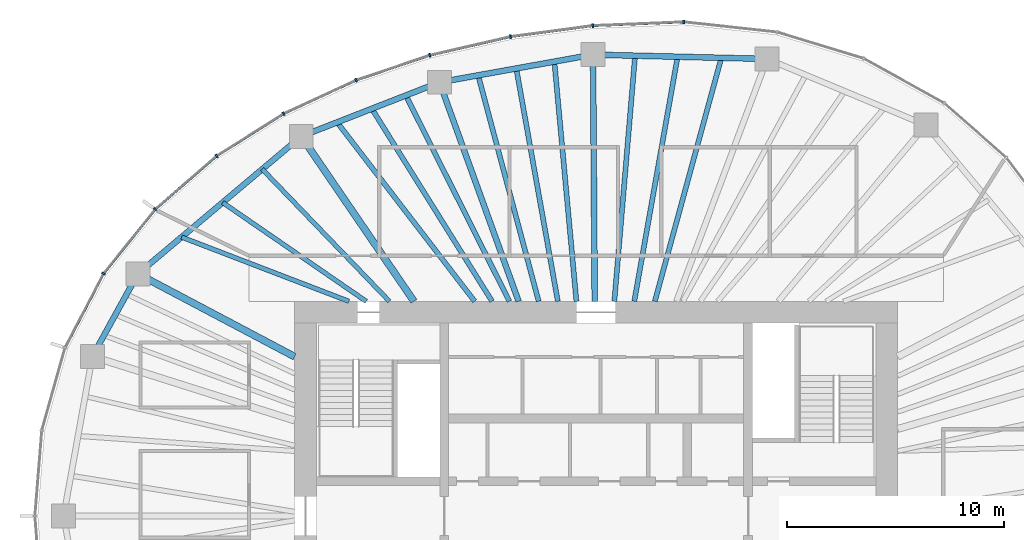
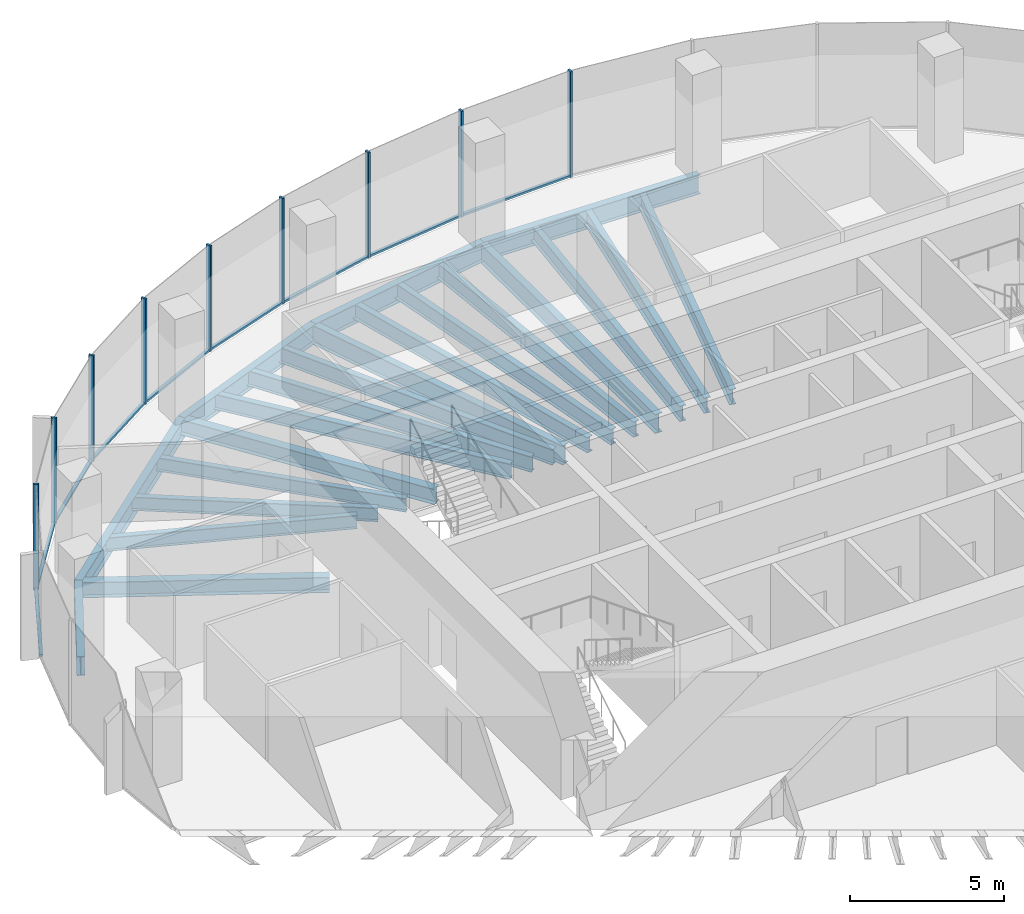
# One storey, part 5 of 11: 21 beams, 18 members, 5 elements without a shape of their own.
"""IFC4 building model written with IfcOpenShell, lengths in metres."""

from ifc_helpers import new_model, si_unit, direction, frame, origin, origin_2d, place, context, subcontext, project, spatial, rectangle, i_section, extrude, material, material_profile, profile_set, type_object, element, aggregate, save


model = new_model("IFC4")

# Units and contexts
model_context = context("Model", 3, precision=1e-05, world=origin(), true_north=direction((0.0, 1.0)))
body_context = subcontext(model_context, "Body", "Model", "MODEL_VIEW")
ifc_project = project(units=[si_unit("LENGTHUNIT", "METRE"), si_unit("AREAUNIT", "SQUARE_METRE"), si_unit("VOLUMEUNIT", "CUBIC_METRE"), si_unit("PLANEANGLEUNIT", "RADIAN"), si_unit("MASSUNIT", "GRAM", prefix="KILO")], contexts=[model_context])

# Site, building, storey
site_placement = place(None, origin())
site = spatial("IfcSite", under=ifc_project, at=site_placement, CompositionType="ELEMENT")
building_placement = place(site_placement, origin())
building = spatial("IfcBuilding", under=site, at=building_placement, Name="Ghaith Harvest Tower", CompositionType="ELEMENT")
storey_placement = place(building_placement, frame((0.0, 0.0, 279.60009765625)))
storey = spatial("IfcBuildingStorey", under=building, at=storey_placement, Name="L62", CompositionType="ELEMENT", Elevation=279.60009765625)

# Curtain wall, member
ifc_material_1 = material(Name="Black anodised aluminium and fritted glass", Category="aluminium")
curtain_wall_type = type_object("IfcCurtainWallType", Name="CW-T CURTAIN WALL", PredefinedType="NOTDEFINED", material=ifc_material_1)
curtain_wall_1_placement = place(storey_placement, origin())
curtain_wall_1 = element("IfcCurtainWall", 1, at=curtain_wall_1_placement, inside=storey, type_object=curtain_wall_type, Name="Curtain wall CW-T bay 05 L62", PredefinedType="NOTDEFINED")
ifc_material_2 = material(Name="Aluminium, black anodised", Category="aluminium")
ifc_material_profile_1 = material_profile(ifc_material_2, rectangle(XDim=0.080078125, YDim=0.179931640625, at=origin_2d()), Name="CW-T MULLION 80x180")
ifc_profile_set_1 = profile_set([ifc_material_profile_1], Name="Aluminium, black anodised")
member_type_1 = type_object("IfcMemberType", Name="CW-T MULLION 80x180", PredefinedType="MULLION", material=ifc_profile_set_1)
member_1_placement = place(storey_placement, frame((4.037841796875, 22.776611328125, 0.0), z_axis=(0.0, 0.0, 1.0), x_axis=(-0.999388631236, 0.034962319079, 0.0)))
member_1 = element("IfcMember", 2, at=member_1_placement, type_object=member_type_1, Name="CW-T mullion 2 bay 05 L62", PredefinedType="MULLION", context=body_context, shape_type="SweptSolid", body=[
    extrude(rectangle(XDim=0.080078125, YDim=0.179931640625, at=origin_2d()), origin(), (0.0, 0.0, 1.0), 4.199951171875),
])

# Curtain wall, members
curtain_wall_2_placement = place(storey_placement, origin())
curtain_wall_2 = element("IfcCurtainWall", 3, at=curtain_wall_2_placement, inside=storey, type_object=curtain_wall_type, Name="Curtain wall CW-T bay 06 L62", PredefinedType="NOTDEFINED")
member_2_placement = place(storey_placement, frame((-0.15478515625, 22.60595703125, 0.0), z_axis=(0.0, 0.0, 1.0), x_axis=(-0.996414855482, -0.084601629853, 0.0)))
member_2 = element("IfcMember", 4, at=member_2_placement, type_object=member_type_1, Name="CW-T mullion 1 bay 06 L62", PredefinedType="MULLION", context=body_context, shape_type="SweptSolid", body=[
    extrude(rectangle(XDim=0.080078125, YDim=0.179931640625, at=origin_2d()), origin(), (0.0, 0.0, 1.0), 4.199951171875),
])
member_3_placement = place(storey_placement, frame((-3.946533203125, 22.0986328125, 0.0), z_axis=(0.0, 0.0, 1.0), x_axis=(-0.983843447681, -0.179030920389, 0.0)))
member_3 = element("IfcMember", 5, at=member_3_placement, type_object=member_type_1, Name="CW-T mullion 2 bay 06 L62", PredefinedType="MULLION", context=body_context, shape_type="SweptSolid", body=[
    extrude(rectangle(XDim=0.080078125, YDim=0.179931640625, at=origin_2d()), origin(), (0.0, 0.0, 1.0), 4.199951171875),
])

curtain_wall_3_placement = place(storey_placement, origin())
curtain_wall_3 = element("IfcCurtainWall", 6, at=curtain_wall_3_placement, inside=storey, type_object=curtain_wall_type, Name="Curtain wall CW-T bay 07 L62", PredefinedType="NOTDEFINED")
member_4_placement = place(storey_placement, frame((-7.6708984375, 21.23828125, 0.0), z_axis=(0.0, 0.0, 1.0), x_axis=(-0.962552491436, -0.27109537294, 0.0)))
member_4 = element("IfcMember", 7, at=member_4_placement, type_object=member_type_1, Name="CW-T mullion 1 bay 07 L62", PredefinedType="MULLION", context=body_context, shape_type="SweptSolid", body=[
    extrude(rectangle(XDim=0.080078125, YDim=0.179931640625, at=origin_2d()), origin(), (0.0, 0.0, 1.0), 4.199951171875),
])
member_5_placement = place(storey_placement, frame((-11.0673828125, 20.093017578125, 0.0), z_axis=(0.0, 0.0, 1.0), x_axis=(-0.928624420706, -0.371021138573, 0.0)))
member_5 = element("IfcMember", 8, at=member_5_placement, type_object=member_type_1, Name="CW-T mullion 2 bay 07 L62", PredefinedType="MULLION", context=body_context, shape_type="SweptSolid", body=[
    extrude(rectangle(XDim=0.080078125, YDim=0.179931640625, at=origin_2d()), origin(), (0.0, 0.0, 1.0), 4.199951171875),
])

curtain_wall_4_placement = place(storey_placement, origin())
curtain_wall_4 = element("IfcCurtainWall", 9, at=curtain_wall_4_placement, inside=storey, type_object=curtain_wall_type, Name="Curtain wall CW-T bay 08 L62", PredefinedType="NOTDEFINED")
member_6_placement = place(storey_placement, frame((-14.40478515625, 18.5478515625, 0.0), z_axis=(0.0, 0.0, 1.0), x_axis=(-0.87867173244, -0.477426420101, 0.0)))
member_6 = element("IfcMember", 10, at=member_6_placement, type_object=member_type_1, Name="CW-T mullion 1 bay 08 L62", PredefinedType="MULLION", context=body_context, shape_type="SweptSolid", body=[
    extrude(rectangle(XDim=0.080078125, YDim=0.179931640625, at=origin_2d()), origin(), (0.0, 0.0, 1.0), 4.199951171875),
])
member_7_placement = place(storey_placement, frame((-17.49462890625, 16.600830078125, 0.0), z_axis=(0.0, 0.0, 1.0), x_axis=(-0.802189888678, -0.597068993084, 0.0)))
member_7 = element("IfcMember", 11, at=member_7_placement, type_object=member_type_1, Name="CW-T mullion 2 bay 08 L62", PredefinedType="MULLION", context=body_context, shape_type="SweptSolid", body=[
    extrude(rectangle(XDim=0.080078125, YDim=0.179931640625, at=origin_2d()), origin(), (0.0, 0.0, 1.0), 4.199951171875),
])

curtain_wall_5_placement = place(storey_placement, origin())
curtain_wall_5 = element("IfcCurtainWall", 12, at=curtain_wall_5_placement, inside=storey, type_object=curtain_wall_type, Name="Curtain wall CW-T bay 09 L62", PredefinedType="NOTDEFINED")
member_8_placement = place(storey_placement, frame((-20.324462890625, 14.141845703125, 0.0), z_axis=(0.0, 0.0, 1.0), x_axis=(-0.692826491995, -0.72110432809, 0.0)))
member_8 = element("IfcMember", 13, at=member_8_placement, type_object=member_type_1, Name="CW-T mullion 1 bay 09 L62", PredefinedType="MULLION", context=body_context, shape_type="SweptSolid", body=[
    extrude(rectangle(XDim=0.080078125, YDim=0.179931640625, at=origin_2d()), origin(), (0.0, 0.0, 1.0), 4.199951171875),
])
member_9_placement = place(storey_placement, frame((-22.706298828125, 11.176513671875, 0.0), z_axis=(0.0, 0.0, 1.0), x_axis=(-0.545865412621, -0.837872872997, 0.0)))
member_9 = element("IfcMember", 14, at=member_9_placement, type_object=member_type_1, Name="CW-T mullion 2 bay 09 L62", PredefinedType="MULLION", context=body_context, shape_type="SweptSolid", body=[
    extrude(rectangle(XDim=0.080078125, YDim=0.179931640625, at=origin_2d()), origin(), (0.0, 0.0, 1.0), 4.199951171875),
])

# Member
ifc_material_3 = material(Name="Aluminium, black anodised", Category="aluminium")
ifc_material_profile_2 = material_profile(ifc_material_3, rectangle(XDim=0.1201171875, YDim=0.080078125, at=origin_2d()), Name="CW-T TRANSOM 120x80")
ifc_profile_set_2 = profile_set([ifc_material_profile_2], Name="Aluminium, black anodised")
member_type_2 = type_object("IfcMemberType", Name="CW-T TRANSOM 120x80", PredefinedType="USERDEFINED", material=ifc_profile_set_2)
member_10_placement = place(storey_placement, frame((3.997802734375, 22.77490234375, 0.039794921875), z_axis=(-0.999174207562, -0.040631304968, 0.0), x_axis=(0.040631304968, -0.999174207562, 0.0)))
member_10 = element("IfcMember", 15, at=member_10_placement, type_object=member_type_2, Name="CW-T transom 2 bay 05 L62", ObjectType="TRANSOM", PredefinedType="USERDEFINED", context=body_context, shape_type="SweptSolid", body=[
    extrude(rectangle(XDim=0.1201171875, YDim=0.080078125, at=origin_2d()), origin(), (0.0, 0.0, 1.0), 4.115966796875),
])

aggregate(curtain_wall_1, [member_1, member_10])

member_11_placement = place(storey_placement, frame((-0.1943359375, 22.6005859375, 0.039794921875), z_axis=(-0.99117202259, -0.132582131655, 0.0), x_axis=(0.132582131655, -0.99117202259, 0.0)))
member_11 = element("IfcMember", 16, at=member_11_placement, type_object=member_type_2, Name="CW-T transom 1 bay 06 L62", ObjectType="TRANSOM", PredefinedType="USERDEFINED", context=body_context, shape_type="SweptSolid", body=[
    extrude(rectangle(XDim=0.1201171875, YDim=0.080078125, at=origin_2d()), origin(), (0.0, 0.0, 1.0), 3.745361328125),
])

member_12_placement = place(storey_placement, frame((-3.9853515625, 22.089599609375, 0.039794921875), z_axis=(-0.974344997799, -0.225059603803, 0.0), x_axis=(0.225059603803, -0.974344997799, 0.0)))
member_12 = element("IfcMember", 17, at=member_12_placement, type_object=member_type_2, Name="CW-T transom 2 bay 06 L62", ObjectType="TRANSOM", PredefinedType="USERDEFINED", context=body_context, shape_type="SweptSolid", body=[
    extrude(rectangle(XDim=0.1201171875, YDim=0.080078125, at=origin_2d()), origin(), (0.0, 0.0, 1.0), 3.742431640625),
])

aggregate(curtain_wall_2, [member_2, member_11, member_3, member_12])

member_13_placement = place(storey_placement, frame((-7.708740234375, 21.2255859375, 0.039794921875), z_axis=(-0.9475698206, -0.319548799228, 0.0), x_axis=(0.319548799228, -0.9475698206, 0.0)))
member_13 = element("IfcMember", 18, at=member_13_placement, type_object=member_type_2, Name="CW-T transom 1 bay 07 L62", ObjectType="TRANSOM", PredefinedType="USERDEFINED", context=body_context, shape_type="SweptSolid", body=[
    extrude(rectangle(XDim=0.1201171875, YDim=0.080078125, at=origin_2d()), origin(), (0.0, 0.0, 1.0), 3.504638671875),
])

member_14_placement = place(storey_placement, frame((-11.103759765625, 20.076171875, 0.039794921875), z_axis=(-0.907472177056, -0.420112184862, 0.0), x_axis=(0.420112184862, -0.907472177056, 0.0)))
member_14 = element("IfcMember", 19, at=member_14_placement, type_object=member_type_2, Name="CW-T transom 2 bay 07 L62", ObjectType="TRANSOM", PredefinedType="USERDEFINED", context=body_context, shape_type="SweptSolid", body=[
    extrude(rectangle(XDim=0.1201171875, YDim=0.080078125, at=origin_2d()), origin(), (0.0, 0.0, 1.0), 3.597900390625),
])

aggregate(curtain_wall_3, [member_4, member_13, member_5, member_14])

member_15_placement = place(storey_placement, frame((-14.438720703125, 18.5263671875, 0.039794921875), z_axis=(-0.846053602505, -0.533097835006, 0.0), x_axis=(0.533097835006, -0.846053602505, 0.0)))
member_15 = element("IfcMember", 20, at=member_15_placement, type_object=member_type_2, Name="CW-T transom 1 bay 08 L62", ObjectType="TRANSOM", PredefinedType="USERDEFINED", context=body_context, shape_type="SweptSolid", body=[
    extrude(rectangle(XDim=0.1201171875, YDim=0.080078125, at=origin_2d()), origin(), (0.0, 0.0, 1.0), 3.572021484375),
])

member_16_placement = place(storey_placement, frame((-17.52490234375, 16.574462890625, 0.039794921875), z_axis=(-0.754851889287, -0.65589528527, 0.0), x_axis=(0.65589528527, -0.754851889287, 0.0)))
member_16 = element("IfcMember", 21, at=member_16_placement, type_object=member_type_2, Name="CW-T transom 2 bay 08 L62", ObjectType="TRANSOM", PredefinedType="USERDEFINED", context=body_context, shape_type="SweptSolid", body=[
    extrude(rectangle(XDim=0.1201171875, YDim=0.080078125, at=origin_2d()), origin(), (0.0, 0.0, 1.0), 3.668701171875),
])

aggregate(curtain_wall_4, [member_6, member_15, member_7, member_16])

member_17_placement = place(storey_placement, frame((-20.349365234375, 14.110595703125, 0.039794921875), z_axis=(-0.626253073761, -0.779619835307, 0.0), x_axis=(0.779619835307, -0.626253073761, 0.0)))
member_17 = element("IfcMember", 22, at=member_17_placement, type_object=member_type_2, Name="CW-T transom 1 bay 09 L62", ObjectType="TRANSOM", PredefinedType="USERDEFINED", context=body_context, shape_type="SweptSolid", body=[
    extrude(rectangle(XDim=0.1201171875, YDim=0.080078125, at=origin_2d()), origin(), (0.0, 0.0, 1.0), 3.723388671875),
])

member_18_placement = place(storey_placement, frame((-22.724609375, 11.14111328125, 0.039794921875), z_axis=(-0.461242681347, -0.887274021317, 0.0), x_axis=(0.887274021317, -0.461242681347, 0.0)))
member_18 = element("IfcMember", 23, at=member_18_placement, type_object=member_type_2, Name="CW-T transom 2 bay 09 L62", ObjectType="TRANSOM", PredefinedType="USERDEFINED", context=body_context, shape_type="SweptSolid", body=[
    extrude(rectangle(XDim=0.1201171875, YDim=0.080078125, at=origin_2d()), origin(), (0.0, 0.0, 1.0), 3.77197265625),
])

aggregate(curtain_wall_5, [member_8, member_17, member_9, member_18])

# Beams
ifc_material_4 = material(Name="Steel ASTM A992 Grade 50", Category="steel")
ifc_material_profile_3 = material_profile(ifc_material_4, i_section(OverallWidth=0.26611328125, OverallDepth=0.758056640625, WebThickness=0.013916015625, FlangeThickness=0.019287109375, at=origin_2d()), Name="W760X161")
ifc_profile_set_3 = profile_set([ifc_material_profile_3], Name="Steel ASTM A992 Grade 50")
beam_type_1 = type_object("IfcBeamType", Name="E760-161 W760X161", PredefinedType="SPANDREL", material=ifc_profile_set_3)
beam_1_placement = place(storey_placement, frame((7.8779296875, 21.072021484375, -0.549072265625), z_axis=(-0.999692679676, 0.024790042413, 0.0), x_axis=(-0.024790042413, -0.999692679676, 0.0)))
element("IfcBeam", 24, at=beam_1_placement, inside=storey, type_object=beam_type_1, Name="Edge beam E05 L62", PredefinedType="SPANDREL", context=body_context, shape_type="SweptSolid", body=[
    extrude(i_section(OverallWidth=0.26611328125, OverallDepth=0.758056640625, WebThickness=0.013916015625, FlangeThickness=0.019287109375, at=origin_2d()), origin(), (0.0, 0.0, 1.0), 8.0263671875),
])
beam_2_placement = place(storey_placement, frame((-0.14599609375, 21.27099609375, -0.549072265625), z_axis=(-0.984177047684, -0.177187863051, 0.0), x_axis=(0.177187863051, -0.984177047684, 0.0)))
element("IfcBeam", 25, at=beam_2_placement, inside=storey, type_object=beam_type_1, Name="Edge beam E06 L62", PredefinedType="SPANDREL", context=body_context, shape_type="SweptSolid", body=[
    extrude(i_section(OverallWidth=0.26611328125, OverallDepth=0.758056640625, WebThickness=0.013916015625, FlangeThickness=0.019287109375, at=origin_2d()), origin(), (0.0, 0.0, 1.0), 7.189697265625),
])
beam_3_placement = place(storey_placement, frame((-7.221923828125, 19.9970703125, -0.549072265625), z_axis=(-0.931322768207, -0.364194867371, 0.0), x_axis=(0.364194867371, -0.931322768207, 0.0)))
element("IfcBeam", 26, at=beam_3_placement, inside=storey, type_object=beam_type_1, Name="Edge beam E07 L62", PredefinedType="SPANDREL", context=body_context, shape_type="SweptSolid", body=[
    extrude(i_section(OverallWidth=0.26611328125, OverallDepth=0.758056640625, WebThickness=0.013916015625, FlangeThickness=0.019287109375, at=origin_2d()), origin(), (0.0, 0.0, 1.0), 6.843017578125),
])
beam_4_placement = place(storey_placement, frame((-13.594970703125, 17.5048828125, -0.549072265625), z_axis=(-0.765021818761, -0.64400436087, 0.0), x_axis=(0.64400436087, -0.765021818761, 0.0)))
element("IfcBeam", 27, at=beam_4_placement, inside=storey, type_object=beam_type_1, Name="Edge beam E08 L62", PredefinedType="SPANDREL", context=body_context, shape_type="SweptSolid", body=[
    extrude(i_section(OverallWidth=0.26611328125, OverallDepth=0.758056640625, WebThickness=0.013916015625, FlangeThickness=0.019287109375, at=origin_2d()), origin(), (0.0, 0.0, 1.0), 9.8427734375),
])
beam_5_placement = place(storey_placement, frame((-21.125, 11.166015625, -0.549072265625), z_axis=(-0.482955575345, -0.875644855089, 0.0), x_axis=(0.875644855089, -0.482955575345, 0.0)))
element("IfcBeam", 28, at=beam_5_placement, inside=storey, type_object=beam_type_1, Name="Edge beam E09 L62", PredefinedType="SPANDREL", context=body_context, shape_type="SweptSolid", body=[
    extrude(i_section(OverallWidth=0.26611328125, OverallDepth=0.758056640625, WebThickness=0.013916015625, FlangeThickness=0.019287109375, at=origin_2d()), origin(), (0.0, 0.0, 1.0), 4.346435546875),
])
ifc_material_5 = material(Name="Steel ASTM A992 Grade 50", Category="steel")
ifc_material_profile_4 = material_profile(ifc_material_5, i_section(OverallWidth=0.323974609375, OverallDepth=0.611083984375, WebThickness=0.0126953125, FlangeThickness=0.01904296875, at=origin_2d()), Name="W610X155")
ifc_profile_set_4 = profile_set([ifc_material_profile_4], Name="Steel ASTM A992 Grade 50")
beam_type_2 = type_object("IfcBeamType", Name="G610-155 W610X155", PredefinedType="BEAM", material=ifc_profile_set_4)
beam_6_placement = place(storey_placement, frame((-8.39990234375, 9.89990234375, -0.4755859375), z_axis=(-0.564067018201, 0.825729010619, 0.0), x_axis=(-0.825729010619, -0.564067018201, 0.0)))
element("IfcBeam", 29, at=beam_6_placement, inside=storey, type_object=beam_type_2, Name="Radial girder G08 L62", PredefinedType="BEAM", context=body_context, shape_type="SweptSolid", body=[
    extrude(i_section(OverallWidth=0.323974609375, OverallDepth=0.611083984375, WebThickness=0.0126953125, FlangeThickness=0.01904296875, at=origin_2d()), origin(), (0.0, 0.0, 1.0), 9.2099609375),
])
beam_7_placement = place(storey_placement, frame((-13.89990234375, 7.34716796875, -0.4755859375), z_axis=(-0.88410164037, 0.467294649546, 0.0), x_axis=(-0.467294649546, -0.88410164037, 0.0)))
element("IfcBeam", 30, at=beam_7_placement, inside=storey, type_object=beam_type_2, Name="Radial girder G09 L62", PredefinedType="BEAM", context=body_context, shape_type="SweptSolid", body=[
    extrude(i_section(OverallWidth=0.323974609375, OverallDepth=0.611083984375, WebThickness=0.0126953125, FlangeThickness=0.01904296875, at=origin_2d()), origin(), (0.0, 0.0, 1.0), 8.17236328125),
])
ifc_material_6 = material(Name="Steel ASTM A992 Grade 50", Category="steel")
ifc_material_profile_5 = material_profile(ifc_material_6, i_section(OverallWidth=0.26611328125, OverallDepth=0.758056640625, WebThickness=0.013916015625, FlangeThickness=0.019287109375, at=origin_2d()), Name="W760X161")
ifc_profile_set_5 = profile_set([ifc_material_profile_5], Name="Steel ASTM A992 Grade 50")
beam_type_3 = type_object("IfcBeamType", Name="G760-161 W760X161", PredefinedType="BEAM", material=ifc_profile_set_5)
beam_8_placement = place(storey_placement, frame((-0.06787109375, 9.89990234375, -0.549072265625), z_axis=(-0.00687032909, 0.999976399011, 0.0), x_axis=(-0.999976399011, -0.00687032909, 0.0)))
element("IfcBeam", 31, at=beam_8_placement, inside=storey, type_object=beam_type_3, Name="Radial girder G06 L62", PredefinedType="BEAM", context=body_context, shape_type="SweptSolid", body=[
    extrude(i_section(OverallWidth=0.26611328125, OverallDepth=0.758056640625, WebThickness=0.013916015625, FlangeThickness=0.019287109375, at=origin_2d()), origin(), (0.0, 0.0, 1.0), 11.371337890625),
])
beam_9_placement = place(storey_placement, frame((-3.57568359375, 9.89990234375, -0.549072265625), z_axis=(-0.339647816823, 0.940552688863, 0.0), x_axis=(-0.940552688863, -0.339647816823, 0.0)))
element("IfcBeam", 32, at=beam_9_placement, inside=storey, type_object=beam_type_3, Name="Radial girder G07 L62", PredefinedType="BEAM", context=body_context, shape_type="SweptSolid", body=[
    extrude(i_section(OverallWidth=0.26611328125, OverallDepth=0.758056640625, WebThickness=0.013916015625, FlangeThickness=0.019287109375, at=origin_2d()), origin(), (0.0, 0.0, 1.0), 10.7353515625),
])
ifc_material_7 = material(Name="Steel ASTM A992 Grade 50", Category="steel")
ifc_material_profile_6 = material_profile(ifc_material_7, i_section(OverallWidth=0.2109375, OverallDepth=0.5390625, WebThickness=0.01171875, FlangeThickness=0.018798828125, at=origin_2d()), Name="W530X109")
ifc_profile_set_6 = profile_set([ifc_material_profile_6], Name="Steel ASTM A992 Grade 50")
beam_type_4 = type_object("IfcBeamType", Name="J530-109 W530X109", PredefinedType="JOIST", material=ifc_profile_set_6)
beam_10_placement = place(storey_placement, frame((-9.530517578125, 9.89990234375, -0.439697265625), z_axis=(-0.693536238632, 0.720421741554, 0.0), x_axis=(-0.720421741554, -0.693536238632, 0.0)))
element("IfcBeam", 33, at=beam_10_placement, inside=storey, type_object=beam_type_4, Name="Joist J08.1 L62", PredefinedType="JOIST", context=body_context, shape_type="SweptSolid", body=[
    extrude(i_section(OverallWidth=0.2109375, OverallDepth=0.5390625, WebThickness=0.01171875, FlangeThickness=0.018798828125, at=origin_2d()), origin(), (0.0, 0.0, 1.0), 8.4541015625),
])
beam_11_placement = place(storey_placement, frame((-10.60009765625, 9.89990234375, -0.439697265625), z_axis=(-0.823778502511, 0.566911791023, 0.0), x_axis=(-0.566911791023, -0.823778502511, 0.0)))
element("IfcBeam", 34, at=beam_11_placement, inside=storey, type_object=beam_type_4, Name="Joist J08.2 L62", PredefinedType="JOIST", context=body_context, shape_type="SweptSolid", body=[
    extrude(i_section(OverallWidth=0.2109375, OverallDepth=0.5390625, WebThickness=0.01171875, FlangeThickness=0.018798828125, at=origin_2d()), origin(), (0.0, 0.0, 1.0), 8.0341796875),
])
beam_12_placement = place(storey_placement, frame((-11.39990234375, 9.89990234375, -0.439697265625), z_axis=(-0.933583045329, 0.358361127181, 0.0), x_axis=(-0.358361127181, -0.933583045329, 0.0)))
element("IfcBeam", 35, at=beam_12_placement, inside=storey, type_object=beam_type_4, Name="Joist J08.3 L62", PredefinedType="JOIST", context=body_context, shape_type="SweptSolid", body=[
    extrude(i_section(OverallWidth=0.2109375, OverallDepth=0.5390625, WebThickness=0.01171875, FlangeThickness=0.018798828125, at=origin_2d()), origin(), (0.0, 0.0, 1.0), 8.260986328125),
])
ifc_material_8 = material(Name="Steel ASTM A992 Grade 50", Category="steel")
ifc_material_profile_7 = material_profile(ifc_material_8, i_section(OverallWidth=0.22998046875, OverallDepth=0.616943359375, WebThickness=0.01318359375, FlangeThickness=0.022216796875, at=origin_2d()), Name="W610X140")
ifc_profile_set_7 = profile_set([ifc_material_profile_7], Name="Steel ASTM A992 Grade 50")
beam_type_5 = type_object("IfcBeamType", Name="J610-140 W610X140", PredefinedType="JOIST", material=ifc_profile_set_7)
beam_13_placement = place(storey_placement, frame((2.70361328125, 9.89990234375, -0.478515625), z_axis=(0.263456499314, 0.964671277156, 0.0), x_axis=(-0.964671277156, 0.263456499314, 0.0)))
element("IfcBeam", 36, at=beam_13_placement, inside=storey, type_object=beam_type_5, Name="Joist J05.1 L62", PredefinedType="JOIST", context=body_context, shape_type="SweptSolid", body=[
    extrude(i_section(OverallWidth=0.22998046875, OverallDepth=0.616943359375, WebThickness=0.01318359375, FlangeThickness=0.022216796875, at=origin_2d()), origin(), (0.0, 0.0, 1.0), 11.635498046875),
])
beam_14_placement = place(storey_placement, frame((1.7548828125, 9.89990234375, -0.478515625), z_axis=(0.174562528022, 0.984646090639, 0.0), x_axis=(-0.984646090639, 0.174562528022, 0.0)))
element("IfcBeam", 37, at=beam_14_placement, inside=storey, type_object=beam_type_5, Name="Joist J05.2 L62", PredefinedType="JOIST", context=body_context, shape_type="SweptSolid", body=[
    extrude(i_section(OverallWidth=0.22998046875, OverallDepth=0.616943359375, WebThickness=0.01318359375, FlangeThickness=0.022216796875, at=origin_2d()), origin(), (0.0, 0.0, 1.0), 11.4501953125),
])
beam_15_placement = place(storey_placement, frame((0.836669921875, 9.89990234375, -0.478515625), z_axis=(0.084199386432, 0.996448926601, 0.0), x_axis=(-0.996448926601, 0.084199386432, 0.0)))
element("IfcBeam", 38, at=beam_15_placement, inside=storey, type_object=beam_type_5, Name="Joist J05.3 L62", PredefinedType="JOIST", context=body_context, shape_type="SweptSolid", body=[
    extrude(i_section(OverallWidth=0.22998046875, OverallDepth=0.616943359375, WebThickness=0.01318359375, FlangeThickness=0.022216796875, at=origin_2d()), origin(), (0.0, 0.0, 1.0), 11.36328125),
])
beam_16_placement = place(storey_placement, frame((-0.9111328125, 9.89990234375, -0.478515625), z_axis=(-0.091654473201, 0.995790870385, 0.0), x_axis=(-0.995790870385, -0.091654473201, 0.0)))
element("IfcBeam", 39, at=beam_16_placement, inside=storey, type_object=beam_type_5, Name="Joist J06.1 L62", PredefinedType="JOIST", context=body_context, shape_type="SweptSolid", body=[
    extrude(i_section(OverallWidth=0.22998046875, OverallDepth=0.616943359375, WebThickness=0.01318359375, FlangeThickness=0.022216796875, at=origin_2d()), origin(), (0.0, 0.0, 1.0), 11.096923828125),
])
beam_17_placement = place(storey_placement, frame((-1.76806640625, 9.89990234375, -0.478515625), z_axis=(-0.175789088574, 0.984427852277, 0.0), x_axis=(-0.984427852277, -0.175789088574, 0.0)))
element("IfcBeam", 40, at=beam_17_placement, inside=storey, type_object=beam_type_5, Name="Joist J06.2 L62", PredefinedType="JOIST", context=body_context, shape_type="SweptSolid", body=[
    extrude(i_section(OverallWidth=0.22998046875, OverallDepth=0.616943359375, WebThickness=0.01318359375, FlangeThickness=0.022216796875, at=origin_2d()), origin(), (0.0, 0.0, 1.0), 10.903564453125),
])
beam_18_placement = place(storey_placement, frame((-2.651123046875, 9.89990234375, -0.478515625), z_axis=(-0.258678376387, 0.96596350738, 0.0), x_axis=(-0.96596350738, -0.258678376387, 0.0)))
element("IfcBeam", 41, at=beam_18_placement, inside=storey, type_object=beam_type_5, Name="Joist J06.3 L62", PredefinedType="JOIST", context=body_context, shape_type="SweptSolid", body=[
    extrude(i_section(OverallWidth=0.22998046875, OverallDepth=0.616943359375, WebThickness=0.01318359375, FlangeThickness=0.022216796875, at=origin_2d()), origin(), (0.0, 0.0, 1.0), 10.784912109375),
])
beam_19_placement = place(storey_placement, frame((-4.0, 9.89990234375, -0.478515625), z_axis=(-0.449556131123, 0.893252083664, 0.0), x_axis=(-0.893252083664, -0.449556131123, 0.0)))
element("IfcBeam", 42, at=beam_19_placement, inside=storey, type_object=beam_type_5, Name="Joist J07.1 L62", PredefinedType="JOIST", context=body_context, shape_type="SweptSolid", body=[
    extrude(i_section(OverallWidth=0.22998046875, OverallDepth=0.616943359375, WebThickness=0.01318359375, FlangeThickness=0.022216796875, at=origin_2d()), origin(), (0.0, 0.0, 1.0), 10.62353515625),
])
beam_20_placement = place(storey_placement, frame((-4.800048828125, 9.89990234375, -0.478515625), z_axis=(-0.529596254905, 0.848249849273, 0.0), x_axis=(-0.848249849273, -0.529596254905, 0.0)))
element("IfcBeam", 43, at=beam_20_placement, inside=storey, type_object=beam_type_5, Name="Joist J07.2 L62", PredefinedType="JOIST", context=body_context, shape_type="SweptSolid", body=[
    extrude(i_section(OverallWidth=0.22998046875, OverallDepth=0.616943359375, WebThickness=0.01318359375, FlangeThickness=0.022216796875, at=origin_2d()), origin(), (0.0, 0.0, 1.0), 10.465087890625),
])
beam_21_placement = place(storey_placement, frame((-5.60009765625, 9.89990234375, -0.478515625), z_axis=(-0.609353577926, 0.792898617144, 0.0), x_axis=(-0.792898617144, -0.609353577926, 0.0)))
element("IfcBeam", 44, at=beam_21_placement, inside=storey, type_object=beam_type_5, Name="Joist J07.3 L62", PredefinedType="JOIST", context=body_context, shape_type="SweptSolid", body=[
    extrude(i_section(OverallWidth=0.22998046875, OverallDepth=0.616943359375, WebThickness=0.01318359375, FlangeThickness=0.022216796875, at=origin_2d()), origin(), (0.0, 0.0, 1.0), 10.406982421875),
])

save(model, "model.ifc")
